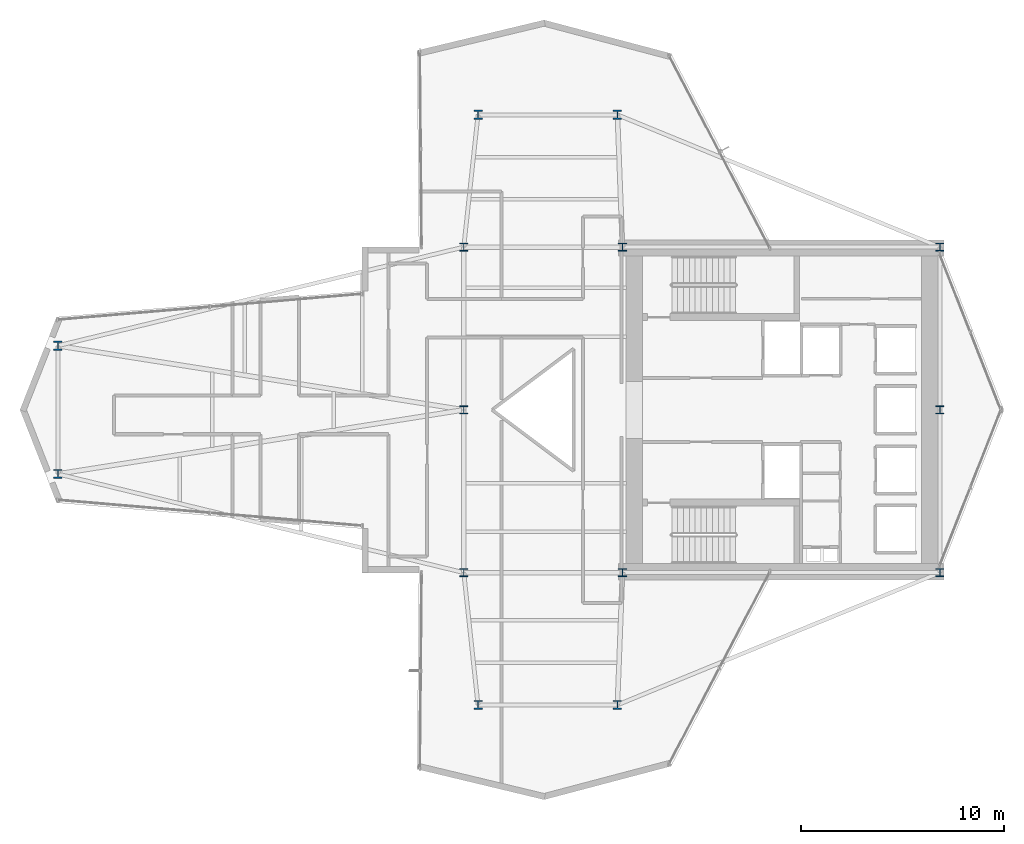
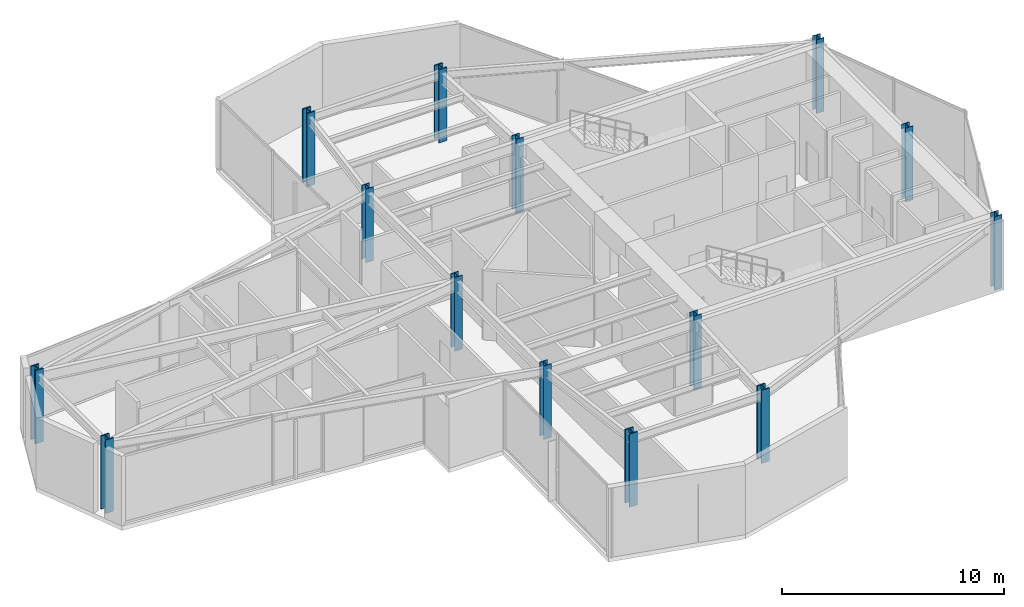
# One storey, part 1 of 25: 14 columns.
"""IFC4 building model written with IfcOpenShell, lengths in metres."""

from ifc_helpers import new_model, si_unit, direction, frame, origin, origin_2d, place, context, subcontext, project, spatial, i_section, extrude, material, material_profile, profile_set, type_object, element, save


model = new_model("IFC4")

# Units and contexts
model_context = context("Model", 3, precision=1e-05, world=origin(), true_north=direction((0.0, 1.0)))
body_context = subcontext(model_context, "Body", "Model", "MODEL_VIEW")
ifc_project = project(units=[si_unit("LENGTHUNIT", "METRE"), si_unit("AREAUNIT", "SQUARE_METRE"), si_unit("VOLUMEUNIT", "CUBIC_METRE"), si_unit("PLANEANGLEUNIT", "RADIAN"), si_unit("MASSUNIT", "GRAM", prefix="KILO")], contexts=[model_context])

# Site, building, storey
site_placement = place(None, origin())
site = spatial("IfcSite", under=ifc_project, at=site_placement, CompositionType="ELEMENT")
building_placement = place(site_placement, origin())
building = spatial("IfcBuilding", under=site, at=building_placement, Name="Veymaron Broadcast Tower", CompositionType="ELEMENT")
storey_placement = place(building_placement, frame((0.0, 0.0, 141.14990234375)))
storey = spatial("IfcBuildingStorey", under=building, at=storey_placement, Name="L32", CompositionType="ELEMENT", Elevation=141.14990234375)

# Columns
ifc_material_1 = material(Name="Structural steel ASTM A992 Gr 50", Category="steel")
ifc_material_profile_1 = material_profile(ifc_material_1, i_section(OverallWidth=0.39794921875, OverallDepth=0.386962890625, WebThickness=0.02099609375, FlangeThickness=0.033203125, at=origin_2d()), Name="W360X262")
ifc_profile_set_1 = profile_set([ifc_material_profile_1], Name="Structural steel ASTM A992 Gr 50")
column_type_1 = type_object("IfcColumnType", Name="COL-HC2", PredefinedType="COLUMN", material=ifc_profile_set_1)
for number, where, z_axis, x_axis, name in (
    (1, (31.199951171875, 16.0, 0.0), (0.0, 0.0, 1.0), (1.0, 0.0, 0.0), "L32 structural hub and core column"),
    (2, (31.199951171875, 24.0, 0.0), (0.0, 0.0, 1.0), (1.0, 0.0, 0.0), "L32 structural hub and core column"),
    (3, (31.199951171875, 32.0, 0.0), (0.0, 0.0, 1.0), (1.0, 0.0, 0.0), "L32 structural hub and core column"),
    (4, (39.0, 16.0, 0.0), (0.0, 0.0, 1.0), (1.0, 0.0, 0.0), "L32 structural hub and core column"),
    (5, (39.0, 32.0, 0.0), (0.0, 0.0, 1.0), (1.0, 0.0, 0.0), "L32 structural hub and core column"),
    (6, (54.60009765625, 16.0, 0.0), (0.0, 0.0, 1.0), (1.0, 0.0, 0.0), "L32 structural hub and core column"),
    (7, (54.60009765625, 24.0, 0.0), (0.0, 0.0, 1.0), (1.0, 0.0, 0.0), "L32 structural hub and core column"),
    (8, (54.60009765625, 32.0, 0.0), (0.0, 0.0, 1.0), (1.0, 0.0, 0.0), "L32 structural hub and core column"),
):
    element("IfcColumn", number, at=place(storey_placement, frame(where, z_axis=z_axis, x_axis=x_axis)), inside=storey, type_object=column_type_1, Name=name, PredefinedType="COLUMN", context=body_context, shape_type="SweptSolid", body=[
        extrude(i_section(OverallWidth=0.39794921875, OverallDepth=0.386962890625, WebThickness=0.02099609375, FlangeThickness=0.033203125, at=origin_2d()), origin(), (0.0, 0.0, 1.0), 4.044189453125),
    ])
ifc_material_2 = material(Name="Structural steel ASTM A913 Gr 65", Category="steel")
ifc_material_profile_2 = material_profile(ifc_material_2, i_section(OverallWidth=0.41796875, OverallDepth=0.455078125, WebThickness=0.0419921875, FlangeThickness=0.067626953125, at=origin_2d()), Name="W360X551")
ifc_profile_set_2 = profile_set([ifc_material_profile_2], Name="Structural steel ASTM A913 Gr 65")
column_type_2 = type_object("IfcColumnType", Name="COL-MC2", PredefinedType="COLUMN", material=ifc_profile_set_2)
for number, where, z_axis, x_axis, name in (
    (9, (11.25, 20.85009765625, 0.01611328125), (0.0, 0.0, 1.0), (1.0, 0.0, 0.0), "L32 Tapered Wing Mega Column"),
    (10, (11.25, 27.14990234375, 0.01611328125), (0.0, 0.0, 1.0), (1.0, 0.0, 0.0), "L32 Tapered Wing Mega Column"),
    (11, (31.89990234375, 38.5, 0.01611328125), (0.0, 0.0, 1.0), (1.0, 0.0, 0.0), "L32 Tapered Wing Mega Column"),
    (12, (38.75, 38.5, 0.01611328125), (0.0, 0.0, 1.0), (1.0, 0.0, 0.0), "L32 Tapered Wing Mega Column"),
    (13, (31.89990234375, 9.5, 0.01611328125), (0.0, 0.0, 1.0), (1.0, 0.0, 0.0), "L32 Tapered Wing Mega Column"),
    (14, (38.75, 9.5, 0.01611328125), (0.0, 0.0, 1.0), (1.0, 0.0, 0.0), "L32 Tapered Wing Mega Column"),
):
    element("IfcColumn", number, at=place(storey_placement, frame(where, z_axis=z_axis, x_axis=x_axis)), inside=storey, type_object=column_type_2, Name=name, PredefinedType="COLUMN", context=body_context, shape_type="SweptSolid", body=[
        extrude(i_section(OverallWidth=0.41796875, OverallDepth=0.455078125, WebThickness=0.0419921875, FlangeThickness=0.067626953125, at=origin_2d()), origin(), (0.0, 0.0, 1.0), 4.01806640625),
    ])

save(model, "model.ifc")
